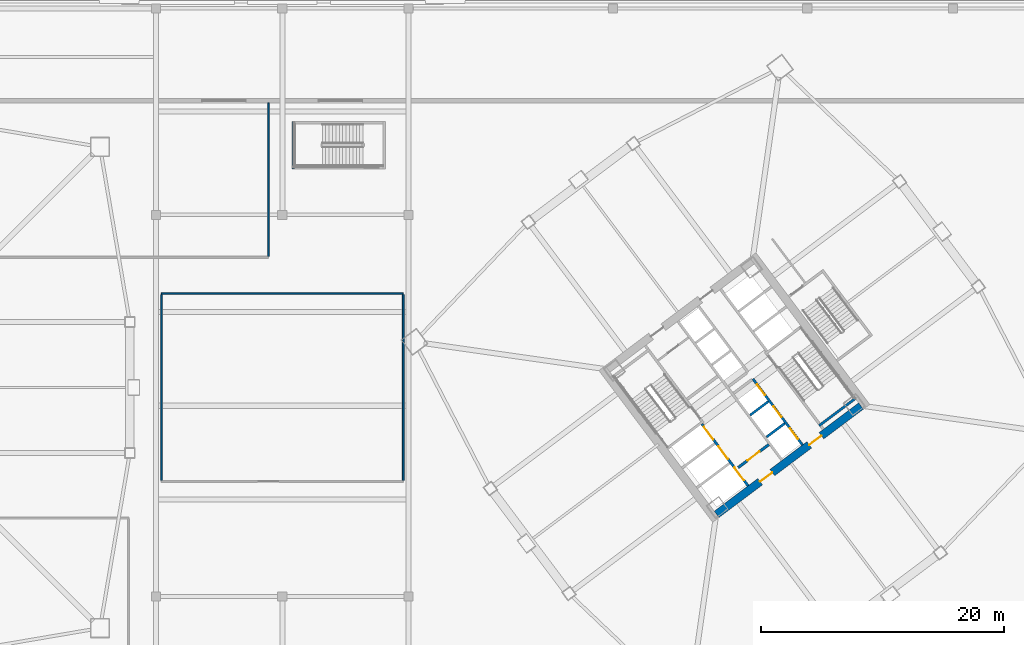
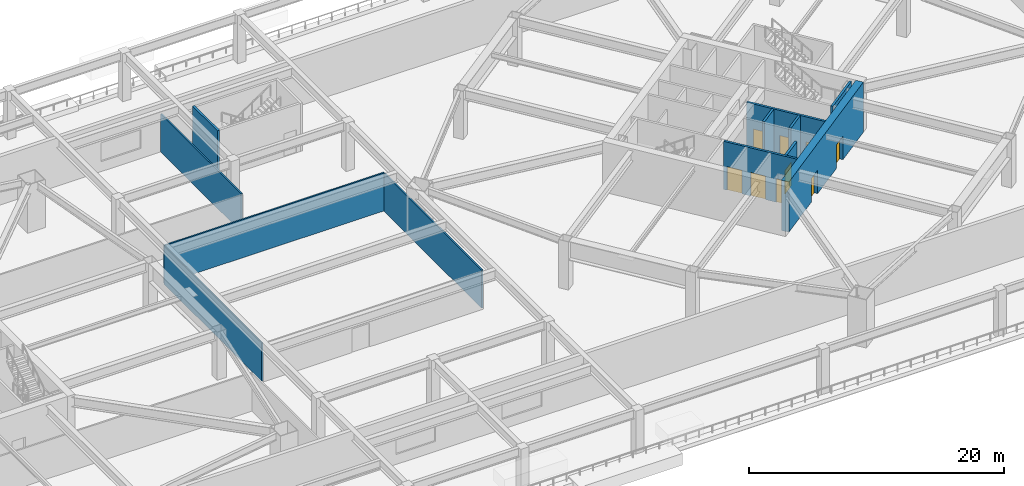
# One storey, part 9 of 21: 12 walls, 9 doors, 9 openings.
"""IFC4 building model written with IfcOpenShell, lengths in metres."""

from ifc_helpers import new_model, si_unit, direction, frame, frame_2d, origin, place, context, subcontext, project, spatial, rectangle, extrude, material, layer, layer_set, type_object, element, fill, save


model = new_model("IFC4")

# Units and contexts
model_context = context("Model", 3, precision=1e-05, world=origin(), true_north=direction((0.0, 1.0)))
body_context = subcontext(model_context, "Body", "Model", "MODEL_VIEW")
ifc_project = project(units=[si_unit("LENGTHUNIT", "METRE"), si_unit("AREAUNIT", "SQUARE_METRE"), si_unit("VOLUMEUNIT", "CUBIC_METRE"), si_unit("PLANEANGLEUNIT", "RADIAN"), si_unit("MASSUNIT", "GRAM", prefix="KILO")], contexts=[model_context])

# Site, building, storey
site_placement = place(None, origin())
site = spatial("IfcSite", under=ifc_project, at=site_placement, CompositionType="ELEMENT")
building_placement = place(site_placement, origin())
building = spatial("IfcBuilding", under=site, at=building_placement, Name="Tashvorn Skyway Center", CompositionType="ELEMENT")
storey_placement = place(building_placement, frame((0.0, 0.0, 19.800048828125)))
storey = spatial("IfcBuildingStorey", under=building, at=storey_placement, Name="L04", CompositionType="ELEMENT", Elevation=19.800048828125)

# Wall, openings, doors
ifc_material_1 = material(Name="Concrete C60/75", Category="concrete")
ifc_layer_1 = layer(ifc_material_1, 0.64990234375)
ifc_layer_set_1 = layer_set([ifc_layer_1], Name="Concrete C60/75")
wall_type_1 = type_object("IfcWallType", Name="WALL-CORE-650", PredefinedType="SHEAR", material=ifc_layer_set_1)
wall_1_placement = place(storey_placement, frame((124.428955078125, 30.47802734375, 0.0), z_axis=(0.0, 0.0, 1.0), x_axis=(-0.799998028465, -0.600002628705, 0.0)))
wall_1 = element("IfcWall", 1, at=wall_1_placement, inside=storey, type_object=wall_type_1, Name="Tower 2 L04 South Core Shear Wall", PredefinedType="SHEAR", context=body_context, shape_type="SweptSolid", body=[
    extrude(rectangle(XDim=14.85986328125, YDim=0.64990234375, at=frame_2d((7.429931640625, 0.0))), origin(), (0.0, 0.0, 1.0), 4.800048828125),
])
opening_1_placement = place(wall_1_placement, frame((9.1298828125, 0.0, 0.0)))
opening_1 = element("IfcOpeningElement", 2, at=opening_1_placement, cuts=wall_1, Name="Opening D-FFL-1250", PredefinedType="OPENING", context=body_context, shape_type="SweptSolid", body=[
    extrude(rectangle(XDim=1.25, YDim=2.25, at=frame_2d((0.625, 1.125))), frame((0.0, 0.3349609375, 0.0), z_axis=(0.0, -1.0, 0.0), x_axis=(1.0, 0.0, 0.0)), (0.0, 0.0, 1.0), 0.669921875),
])
opening_2_placement = place(wall_1_placement, frame((4.080078125, 0.0, 0.0)))
opening_2 = element("IfcOpeningElement", 3, at=opening_2_placement, cuts=wall_1, Name="Opening D-FFL-1250", PredefinedType="OPENING", context=body_context, shape_type="SweptSolid", body=[
    extrude(rectangle(XDim=1.25, YDim=2.25, at=frame_2d((0.625, 1.125))), frame((0.0, 0.3349609375, 0.0), z_axis=(0.0, -1.0, 0.0), x_axis=(1.0, 0.0, 0.0)), (0.0, 0.0, 1.0), 0.669921875),
])
ifc_material_2 = material(Name="Hollow galvanized steel fire door assembly", Category="steel")
door_type_1 = type_object("IfcDoorType", Name="DOOR-FFL-1250", OperationType="NOTDEFINED", PredefinedType="DOOR", material=ifc_material_2)
door_1_placement = place(opening_1_placement, origin())
door_1 = element("IfcDoor", 4, at=door_1_placement, inside=storey, type_object=door_type_1, Name="Tower 2 L04 Core South Firefighting Exit Door", OperationType="SINGLE_SWING_LEFT", OverallHeight=2.25, OverallWidth=1.25, PredefinedType="DOOR", context=body_context, shape_type="SweptSolid", body=[
    extrude(rectangle(XDim=1.25, YDim=2.25, at=frame_2d((0.625, 1.125))), frame((0.0, 0.02490234375, 0.0), z_axis=(0.0, -1.0, 0.0), x_axis=(1.0, 0.0, 0.0)), (0.0, 0.0, 1.0), 0.050048828125),
])
fill(opening_1, door_1)
door_2_placement = place(opening_2_placement, origin())
door_2 = element("IfcDoor", 5, at=door_2_placement, inside=storey, type_object=door_type_1, Name="Tower 2 L04 Core South Lift Lobby Door", OperationType="SINGLE_SWING_RIGHT", OverallHeight=2.25, OverallWidth=1.25, PredefinedType="DOOR", context=body_context, shape_type="SweptSolid", body=[
    extrude(rectangle(XDim=1.25, YDim=2.25, at=frame_2d((0.625, 1.125))), frame((0.0, 0.02490234375, 0.0), z_axis=(0.0, -1.0, 0.0), x_axis=(1.0, 0.0, 0.0)), (0.0, 0.0, 1.0), 0.050048828125),
])
fill(opening_2, door_2)

# Wall, opening, door
ifc_material_3 = material(Name="Concrete C40/50", Category="concrete")
ifc_layer_2 = layer(ifc_material_3, 0.219970703125)
ifc_layer_set_2 = layer_set([ifc_layer_2], Name="Concrete C40/50")
wall_type_2 = type_object("IfcWallType", Name="WALL-FFL-220", PredefinedType="SOLIDWALL", material=ifc_layer_set_2)
wall_2_placement = place(storey_placement, frame((114.31591796875, 25.412109375, 0.0), z_axis=(0.0, 0.0, 1.0), x_axis=(0.800018601094, 0.59997519774, 0.0)))
wall_2 = element("IfcWall", 6, at=wall_2_placement, inside=storey, type_object=wall_type_2, Name="Tower 2 L04 Firefighting Lobby South Wall", PredefinedType="SOLIDWALL", context=body_context, shape_type="SweptSolid", body=[
    extrude(rectangle(XDim=3.14990234375, YDim=0.219970703125, at=frame_2d((1.574951171875, 0.0))), origin(), (0.0, 0.0, 1.0), 3.64306640625),
])
opening_3_placement = place(wall_2_placement, frame((0.949951171875, 0.0, 0.0)))
opening_3 = element("IfcOpeningElement", 7, at=opening_3_placement, cuts=wall_2, Name="Opening D-FFL-1250", PredefinedType="OPENING", context=body_context, shape_type="SweptSolid", body=[
    extrude(rectangle(XDim=1.25, YDim=2.25, at=frame_2d((0.625, 1.125))), frame((0.0, 0.119873046875, 0.0), z_axis=(0.0, -1.0, 0.0), x_axis=(1.0, 0.0, 0.0)), (0.0, 0.0, 1.0), 0.239990234375),
])
door_3_placement = place(opening_3_placement, origin())
door_3 = element("IfcDoor", 8, at=door_3_placement, inside=storey, type_object=door_type_1, Name="Tower 2 L04 Firefighting Lobby Egress Door", OperationType="SINGLE_SWING_LEFT", OverallHeight=2.25, OverallWidth=1.25, PredefinedType="DOOR", context=body_context, shape_type="SweptSolid", body=[
    extrude(rectangle(XDim=1.25, YDim=2.25, at=frame_2d((0.625, 1.125))), frame((0.0, 0.02490234375, 0.0), z_axis=(0.0, -1.0, 0.0), x_axis=(1.0, 0.0, 0.0)), (0.0, 0.0, 1.0), 0.050048828125),
])
fill(opening_3, door_3)

# Walls
ifc_material_4 = material(Name="Gypsum board on cold-formed steel stud framing", Category="steel")
ifc_layer_3 = layer(ifc_material_4, 0.135009765625)
ifc_layer_set_3 = layer_set([ifc_layer_3], Name="Gypsum board on cold-formed steel stud framing")
wall_type_3 = type_object("IfcWallType", Name="WALL-PART-135", PredefinedType="PARTITIONING", material=ifc_layer_set_3)
for number, where, z_axis, x_axis, name in (
    (9, (66.85009765625, 24.35009765625, 0.0), (0.0, 0.0, 1.0), (0.0, 1.0, 0.0), "L04 Central Hall West Wall"),
    (10, (86.75, 24.35009765625, 0.0), (0.0, 0.0, 1.0), (0.0, 1.0, 0.0), "L04 Central Hall East Wall"),
):
    element("IfcWall", number, at=place(storey_placement, frame(where, z_axis=z_axis, x_axis=x_axis)), inside=storey, type_object=wall_type_3, Name=name, PredefinedType="PARTITIONING", context=body_context, shape_type="SweptSolid", body=[
        extrude(rectangle(XDim=15.2998046875, YDim=0.135009765625, at=frame_2d((7.64990234375, 0.0))), origin(), (0.0, 0.0, 1.0), 3.64306640625),
    ])
wall_3_placement = place(storey_placement, frame((66.85009765625, 39.75, 0.0), z_axis=(0.0, 0.0, 1.0), x_axis=(1.0, 0.0, 0.0)))
element("IfcWall", 11, at=wall_3_placement, inside=storey, type_object=wall_type_3, Name="L04 Central Hall North Wall", PredefinedType="PARTITIONING", context=body_context, shape_type="SweptSolid", body=[
    extrude(rectangle(XDim=19.89990234375, YDim=0.135009765625, at=frame_2d((9.949951171875, 0.0))), origin(), (0.0, 0.0, 1.0), 3.64306640625),
])
wall_4_placement = place(storey_placement, frame((75.64990234375, 42.800048828125, 0.0), z_axis=(0.0, 0.0, 1.0), x_axis=(0.0, 1.0, 0.0)))
element("IfcWall", 12, at=wall_4_placement, inside=storey, type_object=wall_type_3, Name="L04 North Suite East Wall", PredefinedType="PARTITIONING", context=body_context, shape_type="SweptSolid", body=[
    extrude(rectangle(XDim=12.619873046875, YDim=0.135009765625, at=frame_2d((6.31005859375, 0.0))), origin(), (0.0, 0.0, 1.0), 3.64306640625),
])

# Wall, openings, doors
ifc_layer_4 = layer(ifc_material_3, 0.199951171875)
ifc_layer_set_4 = layer_set([ifc_layer_4], Name="Concrete C40/50")
wall_type_4 = type_object("IfcWallType", Name="WALL-SHAFT-200", PredefinedType="SOLIDWALL", material=ifc_layer_set_4)
wall_5_placement = place(storey_placement, frame((119.610107421875, 27.27001953125, 0.0), z_axis=(0.0, 0.0, 1.0), x_axis=(-0.600011488909, 0.79999138319, 0.0)))
wall_5 = element("IfcWall", 13, at=wall_5_placement, inside=storey, type_object=wall_type_4, Name="Tower 2 L04 Low-Rise Core Wall", PredefinedType="SOLIDWALL", context=body_context, shape_type="SweptSolid", body=[
    extrude(rectangle(XDim=6.800048828125, YDim=0.199951171875, at=frame_2d((3.39990234375, 0.0))), origin(), (0.0, 0.0, 1.0), 4.599853515625),
])
opening_4_placement = place(wall_5_placement, frame((0.625, 0.0, 0.0)))
opening_4 = element("IfcOpeningElement", 14, at=opening_4_placement, cuts=wall_5, Name="Opening LD-LR-T2-1-L04", PredefinedType="OPENING", context=body_context, shape_type="SweptSolid", body=[
    extrude(rectangle(XDim=1.10009765625, YDim=2.199951171875, at=frame_2d((0.550048828125, 1.10009765625))), frame((0.0, 0.10986328125, 0.0), z_axis=(0.0, -1.0, 0.0), x_axis=(1.0, 0.0, 0.0)), (0.0, 0.0, 1.0), 0.219970703125),
])
opening_5_placement = place(wall_5_placement, frame((2.875, 0.0, 0.0)))
opening_5 = element("IfcOpeningElement", 15, at=opening_5_placement, cuts=wall_5, Name="Opening LD-LR-T2-2-L04", PredefinedType="OPENING", context=body_context, shape_type="SweptSolid", body=[
    extrude(rectangle(XDim=1.10009765625, YDim=2.199951171875, at=frame_2d((0.550048828125, 1.10009765625))), frame((0.0, 0.10986328125, 0.0), z_axis=(0.0, -1.0, 0.0), x_axis=(1.0, 0.0, 0.0)), (0.0, 0.0, 1.0), 0.219970703125),
])
opening_6_placement = place(wall_5_placement, frame((5.125, 0.0, 0.0)))
opening_6 = element("IfcOpeningElement", 16, at=opening_6_placement, cuts=wall_5, Name="Opening LD-LR-T2-3-L04", PredefinedType="OPENING", context=body_context, shape_type="SweptSolid", body=[
    extrude(rectangle(XDim=1.10009765625, YDim=2.199951171875, at=frame_2d((0.550048828125, 1.10009765625))), frame((0.0, 0.10986328125, 0.0), z_axis=(0.0, -1.0, 0.0), x_axis=(1.0, 0.0, 0.0)), (0.0, 0.0, 1.0), 0.219970703125),
])
ifc_material_5 = material(Name="Stainless steel landing door", Category="steel")
door_type_2 = type_object("IfcDoorType", Name="DOOR-LIFT-1100", OperationType="SLIDING_TO_LEFT", PredefinedType="DOOR", material=ifc_material_5)
door_4_placement = place(opening_4_placement, origin())
door_4 = element("IfcDoor", 17, at=door_4_placement, inside=storey, type_object=door_type_2, Name="Lift LR-T2-1 L04 Landing Door", OperationType="SLIDING_TO_LEFT", OverallHeight=2.199951171875, OverallWidth=1.10009765625, PredefinedType="DOOR", context=body_context, shape_type="SweptSolid", body=[
    extrude(rectangle(XDim=1.10009765625, YDim=2.199951171875, at=frame_2d((0.550048828125, 1.10009765625))), frame((0.0, 0.02490234375, 0.0), z_axis=(0.0, -1.0, 0.0), x_axis=(1.0, 0.0, 0.0)), (0.0, 0.0, 1.0), 0.050048828125),
])
fill(opening_4, door_4)
door_5_placement = place(opening_5_placement, origin())
door_5 = element("IfcDoor", 18, at=door_5_placement, inside=storey, type_object=door_type_2, Name="Lift LR-T2-2 L04 Landing Door", OperationType="SLIDING_TO_LEFT", OverallHeight=2.199951171875, OverallWidth=1.10009765625, PredefinedType="DOOR", context=body_context, shape_type="SweptSolid", body=[
    extrude(rectangle(XDim=1.10009765625, YDim=2.199951171875, at=frame_2d((0.550048828125, 1.10009765625))), frame((0.0, 0.02490234375, 0.0), z_axis=(0.0, -1.0, 0.0), x_axis=(1.0, 0.0, 0.0)), (0.0, 0.0, 1.0), 0.050048828125),
])
fill(opening_5, door_5)
door_6_placement = place(opening_6_placement, origin())
door_6 = element("IfcDoor", 19, at=door_6_placement, inside=storey, type_object=door_type_2, Name="Lift LR-T2-3 L04 Landing Door", OperationType="SLIDING_TO_LEFT", OverallHeight=2.199951171875, OverallWidth=1.10009765625, PredefinedType="DOOR", context=body_context, shape_type="SweptSolid", body=[
    extrude(rectangle(XDim=1.10009765625, YDim=2.199951171875, at=frame_2d((0.550048828125, 1.10009765625))), frame((0.0, 0.02490234375, 0.0), z_axis=(0.0, -1.0, 0.0), x_axis=(1.0, 0.0, 0.0)), (0.0, 0.0, 1.0), 0.050048828125),
])
fill(opening_6, door_6)

# Walls
wall_6_placement = place(storey_placement, frame((116.64599609375, 27.922119140625, 0.0), z_axis=(0.0, 0.0, 1.0), x_axis=(0.8, 0.6, 0.0)))
element("IfcWall", 20, at=wall_6_placement, inside=storey, type_object=wall_type_4, Name="Tower 2 L04 Low-Rise Shaft Divider", PredefinedType="SOLIDWALL", context=body_context, shape_type="SweptSolid", body=[
    extrude(rectangle(XDim=1.8798828125, YDim=0.199951171875, at=frame_2d((0.93994140625, 0.0))), origin(), (0.0, 0.0, 1.0), 4.599853515625),
])
wall_7_placement = place(storey_placement, frame((115.2958984375, 29.721923828125, 0.0), z_axis=(0.0, 0.0, 1.0), x_axis=(0.799984418148, 0.600020775241, 0.0)))
element("IfcWall", 21, at=wall_7_placement, inside=storey, type_object=wall_type_4, Name="Tower 2 L04 Low-Rise Shaft Divider", PredefinedType="SOLIDWALL", context=body_context, shape_type="SweptSolid", body=[
    extrude(rectangle(XDim=1.880126953125, YDim=0.199951171875, at=frame_2d((0.93994140625, 0.0))), origin(), (0.0, 0.0, 1.0), 4.599853515625),
])
ifc_layer_5 = layer(ifc_material_3, 0.199951171875)
ifc_layer_set_5 = layer_set([ifc_layer_5], Name="Concrete C40/50")
wall_type_5 = type_object("IfcWallType", Name="WALL-STSHF-200", PredefinedType="SHEAR", material=ifc_layer_set_5)
wall_8_placement = place(storey_placement, frame((120.97998046875, 28.860107421875, 0.0), z_axis=(0.0, 0.0, 1.0), x_axis=(0.800039270442, 0.59994763584, 0.0)))
element("IfcWall", 22, at=wall_8_placement, inside=storey, type_object=wall_type_5, Name="Tower 2 L04 Stair 2 South Wall", PredefinedType="SHEAR", context=body_context, shape_type="SweptSolid", body=[
    extrude(rectangle(XDim=3.72998046875, YDim=0.199951171875, at=frame_2d((1.864990234375, 0.0))), origin(), (0.0, 0.0, 1.0), 4.599853515625),
])

# Wall, openings, doors
wall_9_placement = place(storey_placement, frame((115.1298828125, 23.909912109375, 0.0), z_axis=(0.0, 0.0, 1.0), x_axis=(-0.599975393228, 0.800018454488, 0.0)))
wall_9 = element("IfcWall", 23, at=wall_9_placement, inside=storey, type_object=wall_type_5, Name="Tower 2 L04 FSAE and Goods Shaft Front Wall", PredefinedType="SHEAR", context=body_context, shape_type="SweptSolid", body=[
    extrude(rectangle(XDim=6.349853515625, YDim=0.199951171875, at=frame_2d((3.1748046875, 0.0))), origin(), (0.0, 0.0, 1.0), 4.599853515625),
])
opening_7_placement = place(wall_9_placement, frame((4.77490234375, 0.0, 0.0)))
opening_7 = element("IfcOpeningElement", 24, at=opening_7_placement, cuts=wall_9, Name="Opening LD-FF-T2-1-L04", PredefinedType="OPENING", context=body_context, shape_type="SweptSolid", body=[
    extrude(rectangle(XDim=1.300048828125, YDim=2.25, at=frame_2d((0.64990234375, 1.125))), frame((0.0, 0.10986328125, 0.0), z_axis=(0.0, -1.0, 0.0), x_axis=(1.0, 0.0, 0.0)), (0.0, 0.0, 1.0), 0.219970703125),
])
opening_8_placement = place(wall_9_placement, frame((2.77490234375, 0.0, 0.0)))
opening_8 = element("IfcOpeningElement", 25, at=opening_8_placement, cuts=wall_9, Name="Opening LD-FF-T2-2-L04", PredefinedType="OPENING", context=body_context, shape_type="SweptSolid", body=[
    extrude(rectangle(XDim=1.300048828125, YDim=2.25, at=frame_2d((0.64990234375, 1.125))), frame((0.0, 0.10986328125, 0.0), z_axis=(0.0, -1.0, 0.0), x_axis=(1.0, 0.0, 0.0)), (0.0, 0.0, 1.0), 0.219970703125),
])
opening_9_placement = place(wall_9_placement, frame((0.574951171875, 0.0, 0.0)))
opening_9 = element("IfcOpeningElement", 26, at=opening_9_placement, cuts=wall_9, Name="Opening LD-GD-T2-1-L04", PredefinedType="OPENING", context=body_context, shape_type="SweptSolid", body=[
    extrude(rectangle(XDim=1.300048828125, YDim=2.25, at=frame_2d((0.64990234375, 1.125))), frame((0.0, 0.10986328125, 0.0), z_axis=(0.0, -1.0, 0.0), x_axis=(1.0, 0.0, 0.0)), (0.0, 0.0, 1.0), 0.219970703125),
])
ifc_material_6 = material(Name="Stainless steel heavy-duty landing door", Category="steel")
door_type_3 = type_object("IfcDoorType", Name="DOOR-LIFT-1300", OperationType="SLIDING_TO_LEFT", PredefinedType="DOOR", material=ifc_material_6)
door_7_placement = place(opening_7_placement, origin())
door_7 = element("IfcDoor", 27, at=door_7_placement, inside=storey, type_object=door_type_3, Name="Lift FF-T2-1 L04 Landing Door", OperationType="SLIDING_TO_LEFT", OverallHeight=2.25, OverallWidth=1.300048828125, PredefinedType="DOOR", context=body_context, shape_type="SweptSolid", body=[
    extrude(rectangle(XDim=1.300048828125, YDim=2.25, at=frame_2d((0.64990234375, 1.125))), frame((0.0, 0.02490234375, 0.0), z_axis=(0.0, -1.0, 0.0), x_axis=(1.0, 0.0, 0.0)), (0.0, 0.0, 1.0), 0.050048828125),
])
fill(opening_7, door_7)
door_8_placement = place(opening_8_placement, origin())
door_8 = element("IfcDoor", 28, at=door_8_placement, inside=storey, type_object=door_type_3, Name="Lift FF-T2-2 L04 Landing Door", OperationType="SLIDING_TO_LEFT", OverallHeight=2.25, OverallWidth=1.300048828125, PredefinedType="DOOR", context=body_context, shape_type="SweptSolid", body=[
    extrude(rectangle(XDim=1.300048828125, YDim=2.25, at=frame_2d((0.64990234375, 1.125))), frame((0.0, 0.02490234375, 0.0), z_axis=(0.0, -1.0, 0.0), x_axis=(1.0, 0.0, 0.0)), (0.0, 0.0, 1.0), 0.050048828125),
])
fill(opening_8, door_8)
door_9_placement = place(opening_9_placement, origin())
door_9 = element("IfcDoor", 29, at=door_9_placement, inside=storey, type_object=door_type_3, Name="Lift GD-T2-1 L04 Landing Door", OperationType="SLIDING_TO_LEFT", OverallHeight=2.25, OverallWidth=1.300048828125, PredefinedType="DOOR", context=body_context, shape_type="SweptSolid", body=[
    extrude(rectangle(XDim=1.300048828125, YDim=2.25, at=frame_2d((0.64990234375, 1.125))), frame((0.0, 0.02490234375, 0.0), z_axis=(0.0, -1.0, 0.0), x_axis=(1.0, 0.0, 0.0)), (0.0, 0.0, 1.0), 0.050048828125),
])
fill(opening_9, door_9)

# Wall
wall_10_placement = place(storey_placement, frame((77.699951171875, 50.0, 0.0), z_axis=(0.0, 0.0, 1.0), x_axis=(0.0, 1.0, 0.0)))
element("IfcWall", 30, at=wall_10_placement, inside=storey, type_object=wall_type_5, Name="L04 Podium Stair 2 West Wall", PredefinedType="SHEAR", context=body_context, shape_type="SweptSolid", body=[
    extrude(rectangle(XDim=3.89990234375, YDim=0.199951171875, at=frame_2d((1.949951171875, 0.0))), origin(), (0.0, 0.0, 1.0), 4.599853515625),
])

save(model, "model.ifc")
